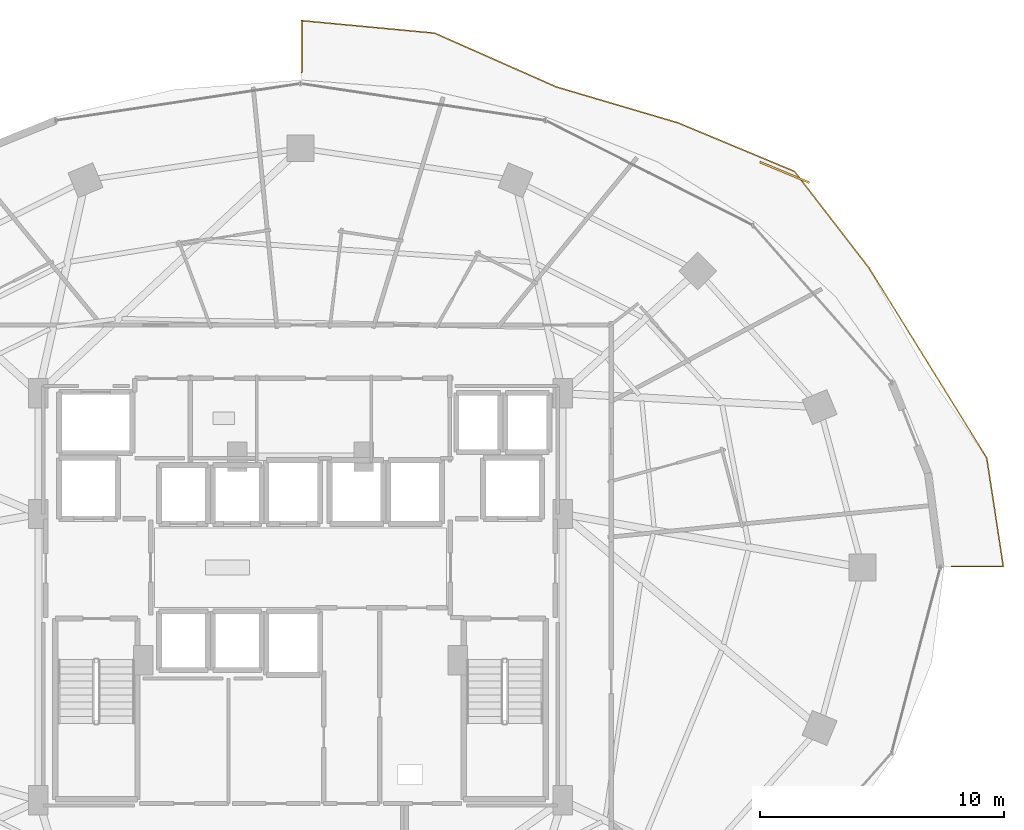
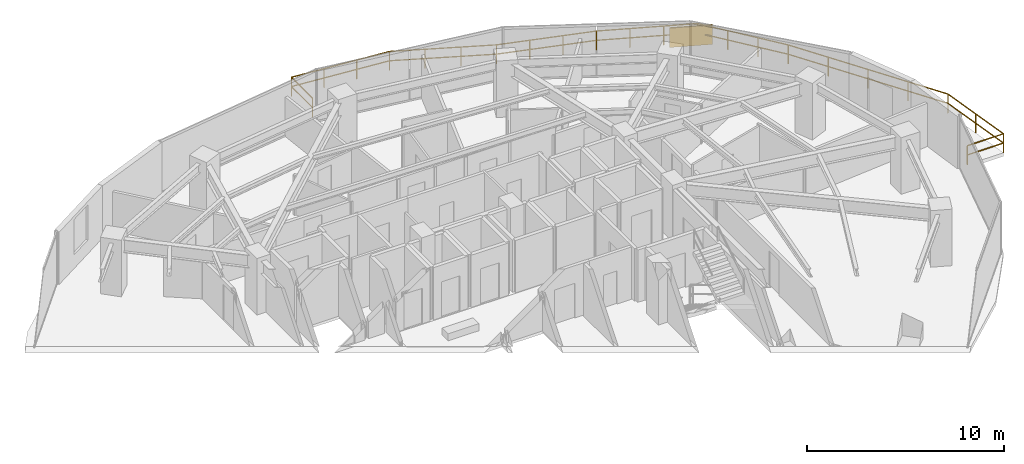
# One storey, part 28 of 29: 2 railings, 1 shading device.
"""IFC4 building model written with IfcOpenShell, lengths in metres."""

from ifc_helpers import new_model, si_unit, direction, frame, origin, origin_2d, place, context, subcontext, project, spatial, rectangle, extrude, material, type_object, element, save


model = new_model("IFC4")

# Units and contexts
model_context = context("Model", 3, precision=1e-05, world=origin(), true_north=direction((0.0, 1.0)))
body_context = subcontext(model_context, "Body", "Model", "MODEL_VIEW")
ifc_project = project(units=[si_unit("LENGTHUNIT", "METRE"), si_unit("AREAUNIT", "SQUARE_METRE"), si_unit("VOLUMEUNIT", "CUBIC_METRE"), si_unit("PLANEANGLEUNIT", "RADIAN"), si_unit("MASSUNIT", "GRAM", prefix="KILO")], contexts=[model_context])

# Site, building, storey
site_placement = place(None, origin())
site = spatial("IfcSite", under=ifc_project, at=site_placement, CompositionType="ELEMENT")
building_placement = place(site_placement, origin())
building = spatial("IfcBuilding", under=site, at=building_placement, Name="Vorneva Point Tower", CompositionType="ELEMENT")
storey_placement = place(building_placement, frame((0.0, 0.0, 117.300048828125)))
storey = spatial("IfcBuildingStorey", under=building, at=storey_placement, Name="L31", CompositionType="ELEMENT", Elevation=117.300048828125)

# Railings
ifc_material = material(Name="Pale anodised aluminium", Category="aluminium")
railing_type = type_object("IfcRailingType", Name="RL-BAL-1200", PredefinedType="BALUSTRADE", material=ifc_material)
railing_1_placement = place(storey_placement, frame((38.050048828125, 48.440185546875, 0.0)))
element("IfcRailing", 1, at=railing_1_placement, inside=storey, type_object=railing_type, Name="L31 Wave Balcony Balustrade NE.1", PredefinedType="BALUSTRADE", context=body_context, shape_type="SweptSolid", body=[
    extrude(rectangle(XDim=0.048095703125, YDim=0.048095703125, at=origin_2d()), frame((0.0, 0.0, 1.17578125), z_axis=(0.0, -1.0, 0.0), x_axis=(1.0, 0.0, 0.0)), (0.0, 0.0, 1.0), 2.123046875),
    extrude(rectangle(XDim=0.048095703125, YDim=0.048095703125, at=origin_2d()), frame((0.0, 0.0, 0.60009765625), z_axis=(0.0, -1.0, 0.0), x_axis=(1.0, 0.0, 0.0)), (0.0, 0.0, 1.0), 2.123046875),
    extrude(rectangle(XDim=0.0419921875, YDim=0.0419921875, at=origin_2d()), origin(), (0.0, 0.0, 1.0), 1.15185546875),
    extrude(rectangle(XDim=0.0419921875, YDim=0.0419921875, at=origin_2d()), frame((0.0, -2.123046875, 0.0)), (0.0, 0.0, 1.0), 1.15185546875),
])
railing_2_placement = place(storey_placement, frame((64.71630859375, 26.050048828125, 0.0)))
element("IfcRailing", 2, at=railing_2_placement, inside=storey, type_object=railing_type, Name="L31 Wave Balcony Balustrade NE.2", PredefinedType="BALUSTRADE", context=body_context, shape_type="SweptSolid", body=[
    extrude(rectangle(XDim=0.048095703125, YDim=0.048095703125, at=origin_2d()), frame((0.0, 0.0, 1.17578125), z_axis=(1.0, 0.0, 0.0), x_axis=(0.0, 1.0, 0.0)), (0.0, 0.0, 1.0), 2.12109375),
    extrude(rectangle(XDim=0.048095703125, YDim=0.048095703125, at=origin_2d()), frame((0.0, 0.0, 0.60009765625), z_axis=(1.0, 0.0, 0.0), x_axis=(0.0, 1.0, 0.0)), (0.0, 0.0, 1.0), 2.12109375),
    extrude(rectangle(XDim=0.048095703125, YDim=0.048095703125, at=origin_2d()), frame((2.12109375, 0.0, 1.17578125), z_axis=(-0.151710478014, 0.988424974826, 0.0), x_axis=(-0.988424974826, -0.151710478014, 0.0)), (0.0, 0.0, 1.0), 4.497802734375),
    extrude(rectangle(XDim=0.048095703125, YDim=0.048095703125, at=origin_2d()), frame((2.12109375, 0.0, 0.60009765625), z_axis=(-0.151710478014, 0.988424974826, 0.0), x_axis=(-0.988424974826, -0.151710478014, 0.0)), (0.0, 0.0, 1.0), 4.497802734375),
    extrude(rectangle(XDim=0.048095703125, YDim=0.048095703125, at=origin_2d()), frame((1.438720703125, 4.44580078125, 1.17578125), z_axis=(-0.526859110707, 0.849952632483, 0.0), x_axis=(-0.849952632483, -0.526859110707, 0.0)), (0.0, 0.0, 1.0), 9.194580078125),
    extrude(rectangle(XDim=0.048095703125, YDim=0.048095703125, at=origin_2d()), frame((1.438720703125, 4.44580078125, 0.60009765625), z_axis=(-0.526859110707, 0.849952632483, 0.0), x_axis=(-0.849952632483, -0.526859110707, 0.0)), (0.0, 0.0, 1.0), 9.194580078125),
    extrude(rectangle(XDim=0.048095703125, YDim=0.048095703125, at=origin_2d()), frame((-3.405517578125, 12.2607421875, 1.17578125), z_axis=(-0.610899143247, 0.791708429145, 0.0), x_axis=(-0.791708429145, -0.610899143247, 0.0)), (0.0, 0.0, 1.0), 4.981201171875),
    extrude(rectangle(XDim=0.048095703125, YDim=0.048095703125, at=origin_2d()), frame((-3.405517578125, 12.2607421875, 0.60009765625), z_axis=(-0.610899143247, 0.791708429145, 0.0), x_axis=(-0.791708429145, -0.610899143247, 0.0)), (0.0, 0.0, 1.0), 4.981201171875),
    extrude(rectangle(XDim=0.048095703125, YDim=0.048095703125, at=origin_2d()), frame((-6.448486328125, 16.204345703125, 1.17578125), z_axis=(-0.923040666996, 0.384702387659, 0.0), x_axis=(-0.384702387659, -0.923040666996, 0.0)), (0.0, 0.0, 1.0), 5.180419921875),
    extrude(rectangle(XDim=0.048095703125, YDim=0.048095703125, at=origin_2d()), frame((-6.448486328125, 16.204345703125, 0.60009765625), z_axis=(-0.923040666996, 0.384702387659, 0.0), x_axis=(-0.384702387659, -0.923040666996, 0.0)), (0.0, 0.0, 1.0), 5.180419921875),
    extrude(rectangle(XDim=0.048095703125, YDim=0.048095703125, at=origin_2d()), frame((-11.230224609375, 18.197265625, 1.17578125), z_axis=(-0.959085741968, 0.283115770586, 0.0), x_axis=(-0.283115770586, -0.959085741968, 0.0)), (0.0, 0.0, 1.0), 5.205810546875),
    extrude(rectangle(XDim=0.048095703125, YDim=0.048095703125, at=origin_2d()), frame((-11.230224609375, 18.197265625, 0.60009765625), z_axis=(-0.959085741968, 0.283115770586, 0.0), x_axis=(-0.283115770586, -0.959085741968, 0.0)), (0.0, 0.0, 1.0), 5.205810546875),
    extrude(rectangle(XDim=0.048095703125, YDim=0.048095703125, at=origin_2d()), frame((-16.22314453125, 19.671142578125, 1.17578125), z_axis=(-0.914655849892, 0.404233442776, 0.0), x_axis=(-0.404233442776, -0.914655849892, 0.0)), (0.0, 0.0, 1.0), 5.46044921875),
    extrude(rectangle(XDim=0.048095703125, YDim=0.048095703125, at=origin_2d()), frame((-16.22314453125, 19.671142578125, 0.60009765625), z_axis=(-0.914655849892, 0.404233442776, 0.0), x_axis=(-0.404233442776, -0.914655849892, 0.0)), (0.0, 0.0, 1.0), 5.46044921875),
    extrude(rectangle(XDim=0.048095703125, YDim=0.048095703125, at=origin_2d()), frame((-21.217529296875, 21.87841796875, 1.17578125), z_axis=(-0.995618925053, 0.093503775738, 0.0), x_axis=(-0.093503775738, -0.995618925053, 0.0)), (0.0, 0.0, 1.0), 5.47265625),
    extrude(rectangle(XDim=0.048095703125, YDim=0.048095703125, at=origin_2d()), frame((-21.217529296875, 21.87841796875, 0.60009765625), z_axis=(-0.995618925053, 0.093503775738, 0.0), x_axis=(-0.093503775738, -0.995618925053, 0.0)), (0.0, 0.0, 1.0), 5.47265625),
    extrude(rectangle(XDim=0.0419921875, YDim=0.0419921875, at=origin_2d()), origin(), (0.0, 0.0, 1.0), 1.15185546875),
    extrude(rectangle(XDim=0.0419921875, YDim=0.0419921875, at=origin_2d()), frame((2.12109375, 0.0, 0.0)), (0.0, 0.0, 1.0), 1.15185546875),
    extrude(rectangle(XDim=0.0419921875, YDim=0.0419921875, at=origin_2d()), frame((1.77978515625, 2.222900390625, 0.0)), (0.0, 0.0, 1.0), 1.15185546875),
    extrude(rectangle(XDim=0.0419921875, YDim=0.0419921875, at=origin_2d()), frame((1.438720703125, 4.44580078125, 0.0)), (0.0, 0.0, 1.0), 1.15185546875),
    extrude(rectangle(XDim=0.0419921875, YDim=0.0419921875, at=origin_2d()), frame((0.2275390625, 6.3994140625, 0.0)), (0.0, 0.0, 1.0), 1.15185546875),
    extrude(rectangle(XDim=0.0419921875, YDim=0.0419921875, at=origin_2d()), frame((-0.9833984375, 8.353271484375, 0.0)), (0.0, 0.0, 1.0), 1.15185546875),
    extrude(rectangle(XDim=0.0419921875, YDim=0.0419921875, at=origin_2d()), frame((-2.1943359375, 10.30712890625, 0.0)), (0.0, 0.0, 1.0), 1.15185546875),
    extrude(rectangle(XDim=0.0419921875, YDim=0.0419921875, at=origin_2d()), frame((-3.405517578125, 12.2607421875, 0.0)), (0.0, 0.0, 1.0), 1.15185546875),
    extrude(rectangle(XDim=0.0419921875, YDim=0.0419921875, at=origin_2d()), frame((-4.419921875, 13.5751953125, 0.0)), (0.0, 0.0, 1.0), 1.15185546875),
    extrude(rectangle(XDim=0.0419921875, YDim=0.0419921875, at=origin_2d()), frame((-5.43408203125, 14.889892578125, 0.0)), (0.0, 0.0, 1.0), 1.15185546875),
    extrude(rectangle(XDim=0.0419921875, YDim=0.0419921875, at=origin_2d()), frame((-6.448486328125, 16.204345703125, 0.0)), (0.0, 0.0, 1.0), 1.15185546875),
    extrude(rectangle(XDim=0.0419921875, YDim=0.0419921875, at=origin_2d()), frame((-8.04248046875, 16.86865234375, 0.0)), (0.0, 0.0, 1.0), 1.15185546875),
    extrude(rectangle(XDim=0.0419921875, YDim=0.0419921875, at=origin_2d()), frame((-9.63623046875, 17.532958984375, 0.0)), (0.0, 0.0, 1.0), 1.15185546875),
    extrude(rectangle(XDim=0.0419921875, YDim=0.0419921875, at=origin_2d()), frame((-11.230224609375, 18.197265625, 0.0)), (0.0, 0.0, 1.0), 1.15185546875),
    extrude(rectangle(XDim=0.0419921875, YDim=0.0419921875, at=origin_2d()), frame((-12.89453125, 18.6884765625, 0.0)), (0.0, 0.0, 1.0), 1.15185546875),
    extrude(rectangle(XDim=0.0419921875, YDim=0.0419921875, at=origin_2d()), frame((-14.558837890625, 19.179931640625, 0.0)), (0.0, 0.0, 1.0), 1.15185546875),
    extrude(rectangle(XDim=0.0419921875, YDim=0.0419921875, at=origin_2d()), frame((-16.22314453125, 19.671142578125, 0.0)), (0.0, 0.0, 1.0), 1.15185546875),
    extrude(rectangle(XDim=0.0419921875, YDim=0.0419921875, at=origin_2d()), frame((-17.887939453125, 20.406982421875, 0.0)), (0.0, 0.0, 1.0), 1.15185546875),
    extrude(rectangle(XDim=0.0419921875, YDim=0.0419921875, at=origin_2d()), frame((-19.552734375, 21.142578125, 0.0)), (0.0, 0.0, 1.0), 1.15185546875),
    extrude(rectangle(XDim=0.0419921875, YDim=0.0419921875, at=origin_2d()), frame((-21.217529296875, 21.87841796875, 0.0)), (0.0, 0.0, 1.0), 1.15185546875),
    extrude(rectangle(XDim=0.0419921875, YDim=0.0419921875, at=origin_2d()), frame((-23.03369140625, 22.049072265625, 0.0)), (0.0, 0.0, 1.0), 1.15185546875),
    extrude(rectangle(XDim=0.0419921875, YDim=0.0419921875, at=origin_2d()), frame((-24.85009765625, 22.219482421875, 0.0)), (0.0, 0.0, 1.0), 1.15185546875),
    extrude(rectangle(XDim=0.0419921875, YDim=0.0419921875, at=origin_2d()), frame((-26.666259765625, 22.39013671875, 0.0)), (0.0, 0.0, 1.0), 1.15185546875),
])

# Shading device
shading_device_type = type_object("IfcShadingDeviceType", Name="SHD-JAL-1200", PredefinedType="JALOUSIE", material=ifc_material)
shading_device_placement = place(storey_placement, frame((57.860595703125, 42.2138671875, -0.02001953125), z_axis=(0.0, 0.0, 1.0), x_axis=(-0.923042448768, 0.384698112514, 0.0)))
element("IfcShadingDevice", 3, at=shading_device_placement, inside=storey, type_object=shading_device_type, Name="L31 Balcony Vertical-Greenery Planter Screen NE.2", PredefinedType="JALOUSIE", context=body_context, shape_type="SweptSolid", body=[
    extrude(rectangle(XDim=2.199951171875, YDim=0.080078125, at=origin_2d()), origin(), (0.0, 0.0, 1.0), 1.199951171875),
])

save(model, "model.ifc")
